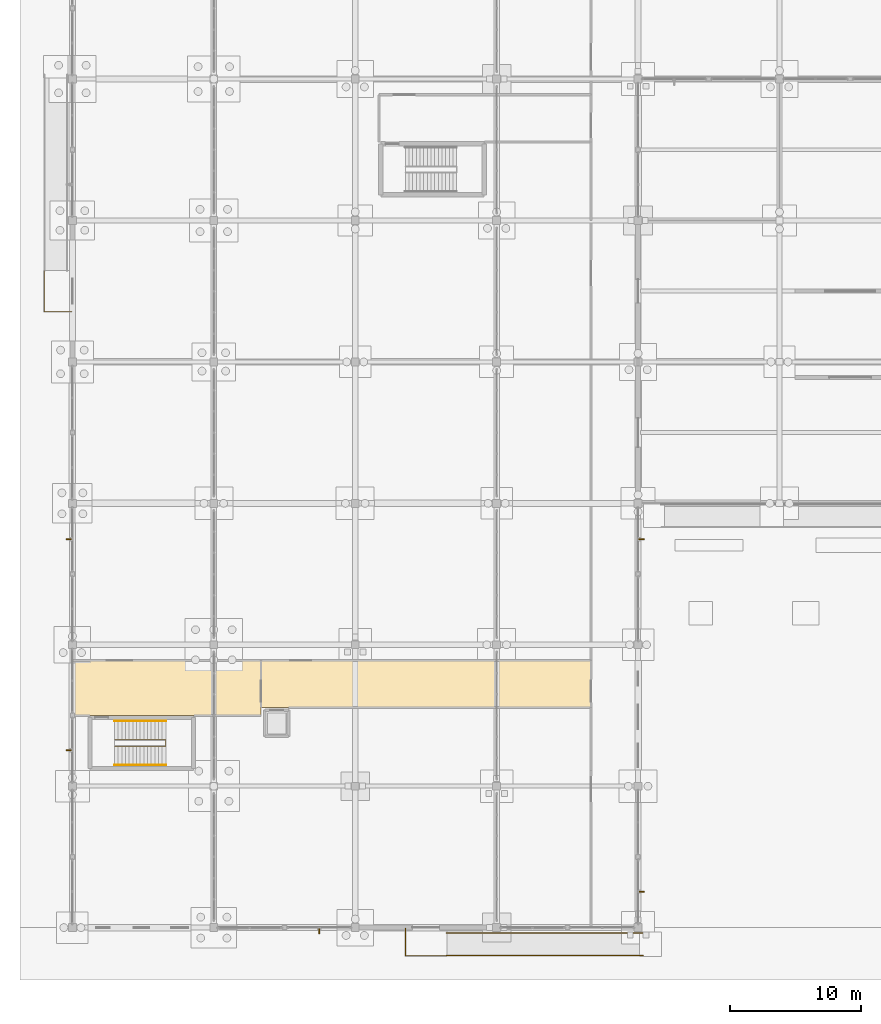
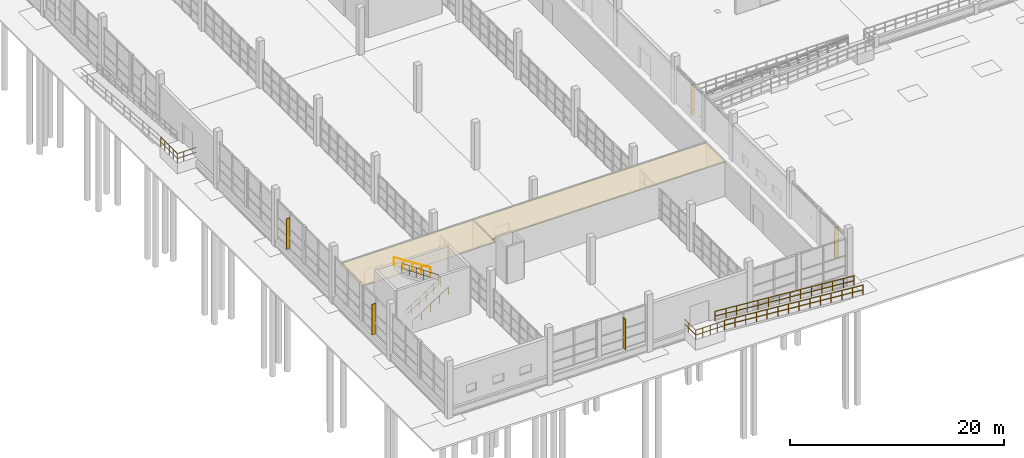
# One storey, part 123 of 138: 7 railings, 5 shading devices, 2 coverings.
"""IFC4 building model written with IfcOpenShell, lengths in metres."""

from ifc_helpers import new_model, si_unit, direction, frame, origin, origin_2d, place, context, subcontext, project, spatial, polyline, rectangle, circle, outline, extrude, material, layer, layer_set, type_object, element, save


model = new_model("IFC4")

# Units and contexts
model_context = context("Model", 3, precision=1e-05, world=origin(), true_north=direction((0.0, 1.0)))
body_context = subcontext(model_context, "Body", "Model", "MODEL_VIEW")
ifc_project = project(units=[si_unit("LENGTHUNIT", "METRE"), si_unit("AREAUNIT", "SQUARE_METRE"), si_unit("VOLUMEUNIT", "CUBIC_METRE"), si_unit("PLANEANGLEUNIT", "RADIAN"), si_unit("MASSUNIT", "GRAM", prefix="KILO")], contexts=[model_context])

# Site, building, storey
site_placement = place(None, origin())
site = spatial("IfcSite", under=ifc_project, at=site_placement, CompositionType="ELEMENT")
building_placement = place(site_placement, origin())
building = spatial("IfcBuilding", under=site, at=building_placement, Name="Zwinboog Wholesale Market", CompositionType="ELEMENT")
storey_placement = place(building_placement, origin())
storey = spatial("IfcBuildingStorey", under=building, at=storey_placement, Name="L00", CompositionType="ELEMENT", Elevation=0.0)

# Shading devices
ifc_material_1 = material(Name="Western red cedar timber", Category="wood")
shading_device_type = type_object("IfcShadingDeviceType", Name="SHD-FIN-CEDAR", PredefinedType="USERDEFINED", material=ifc_material_1)
for number, where, z_axis, x_axis, name in (
    (1, (-0.27001953125, 13.547607421875, 0.080078125), (0.0, 0.0, 1.0), (1.0, 0.0, 0.0), "FN-01 (SHD-FIN-001)"),
    (2, (-0.2548828125, 29.652587890625, 0.080078125), (0.0, 0.0, 1.0), (1.0, 0.0, 0.0), "FN-01 (SHD-FIN-002)"),
    (3, (18.8525390625, -0.2548828125, 0.080078125), (0.0, 0.0, 1.0), (0.0, 1.0, 0.0), "FN-01 (SHD-FIN-006)"),
    (4, (43.469970703125, 2.74755859375, 0.080078125), (0.0, 0.0, 1.0), (1.0, 0.0, 0.0), "FN-01 (SHD-FIN-007)"),
    (5, (43.455078125, 29.652587890625, 0.080078125), (0.0, 0.0, 1.0), (1.0, 0.0, 0.0), "FN-01 (SHD-FIN-008)"),
):
    element("IfcShadingDevice", number, at=place(storey_placement, frame(where, z_axis=z_axis, x_axis=x_axis)), inside=storey, type_object=shading_device_type, Name=name, ObjectType="FIN", PredefinedType="USERDEFINED", context=body_context, shape_type="SweptSolid", body=[
        extrude(rectangle(XDim=0.419921875, YDim=0.0849609375, at=origin_2d()), origin(), (0.0, 0.0, 1.0), 3.5),
    ])

# Railings
ifc_material_2 = material(Name="Steel S355", Category="steel")
railing_type_1 = type_object("IfcRailingType", Name="RLT-EXT-GUARD", PredefinedType="BALUSTRADE", material=ifc_material_2)
railing_1_placement = place(storey_placement, frame((-0.050048828125, 47.0400390625, 0.0)))
element("IfcRailing", 6, at=railing_1_placement, inside=storey, type_object=railing_type_1, Name="GR-01 (RLG-STP-01A)", PredefinedType="BALUSTRADE", context=body_context, shape_type="SweptSolid", body=[
    extrude(circle(Radius=0.02392578125, at=origin_2d()), frame((0.0, 0.0, 1.076171875), z_axis=(-1.0, 0.0, 0.0), x_axis=(0.0, -1.0, 0.0)), (0.0, 0.0, 1.0), 2.10986328125),
    extrude(circle(Radius=0.02392578125, at=origin_2d()), frame((0.0, 0.0, 0.52587890625), z_axis=(-1.0, 0.0, 0.0), x_axis=(0.0, -1.0, 0.0)), (0.0, 0.0, 1.0), 2.10986328125),
    extrude(circle(Radius=0.02392578125, at=origin_2d()), frame((-2.10986328125, 0.0, 1.076171875), z_axis=(0.0, 1.0, 0.0), x_axis=(-1.0, 0.0, 0.0)), (0.0, 0.0, 1.0), 3.119873046875),
    extrude(circle(Radius=0.02392578125, at=origin_2d()), frame((-2.10986328125, 0.0, 0.52587890625), z_axis=(0.0, 1.0, 0.0), x_axis=(-1.0, 0.0, 0.0)), (0.0, 0.0, 1.0), 3.119873046875),
    extrude(circle(Radius=0.02099609375, at=origin_2d()), origin(), (0.0, 0.0, 1.0), 1.052001953125),
    extrude(circle(Radius=0.02099609375, at=origin_2d()), frame((-0.703369140625, 0.0, 0.0)), (0.0, 0.0, 1.0), 1.052001953125),
    extrude(circle(Radius=0.02099609375, at=origin_2d()), frame((-1.406494140625, 0.0, 0.0)), (0.0, 0.0, 1.0), 1.052001953125),
    extrude(circle(Radius=0.02099609375, at=origin_2d()), frame((-2.10986328125, 0.0, 0.0)), (0.0, 0.0, 1.0), 1.052001953125),
    extrude(circle(Radius=0.02099609375, at=origin_2d()), frame((-2.10986328125, 0.780029296875, 0.0)), (0.0, 0.0, 1.0), 1.052001953125),
    extrude(circle(Radius=0.02099609375, at=origin_2d()), frame((-2.10986328125, 1.56005859375, 0.0)), (0.0, 0.0, 1.0), 1.052001953125),
    extrude(circle(Radius=0.02099609375, at=origin_2d()), frame((-2.10986328125, 2.33984375, 0.0)), (0.0, 0.0, 1.0), 1.052001953125),
    extrude(circle(Radius=0.02099609375, at=origin_2d()), frame((-2.10986328125, 3.119873046875, 0.0)), (0.0, 0.0, 1.0), 1.052001953125),
])
railing_2_placement = place(storey_placement, frame((25.43994140625, -0.050048828125, 0.0)))
element("IfcRailing", 7, at=railing_2_placement, inside=storey, type_object=railing_type_1, Name="GR-01 (RLG-STP-02A)", PredefinedType="BALUSTRADE", context=body_context, shape_type="SweptSolid", body=[
    extrude(circle(Radius=0.02392578125, at=origin_2d()), frame((0.0, 0.0, 1.076171875), z_axis=(0.0, -1.0, 0.0), x_axis=(1.0, 0.0, 0.0)), (0.0, 0.0, 1.0), 2.10986328125),
    extrude(circle(Radius=0.02392578125, at=origin_2d()), frame((0.0, 0.0, 0.52587890625), z_axis=(0.0, -1.0, 0.0), x_axis=(1.0, 0.0, 0.0)), (0.0, 0.0, 1.0), 2.10986328125),
    extrude(circle(Radius=0.02392578125, at=origin_2d()), frame((0.0, -2.10986328125, 1.076171875), z_axis=(1.0, 0.0, 0.0), x_axis=(0.0, 1.0, 0.0)), (0.0, 0.0, 1.0), 3.1201171875),
    extrude(circle(Radius=0.02392578125, at=origin_2d()), frame((0.0, -2.10986328125, 0.52587890625), z_axis=(1.0, 0.0, 0.0), x_axis=(0.0, 1.0, 0.0)), (0.0, 0.0, 1.0), 3.1201171875),
    extrude(circle(Radius=0.02099609375, at=origin_2d()), origin(), (0.0, 0.0, 1.0), 1.052001953125),
    extrude(circle(Radius=0.02099609375, at=origin_2d()), frame((0.0, -0.703369140625, 0.0)), (0.0, 0.0, 1.0), 1.052001953125),
    extrude(circle(Radius=0.02099609375, at=origin_2d()), frame((0.0, -1.406494140625, 0.0)), (0.0, 0.0, 1.0), 1.052001953125),
    extrude(circle(Radius=0.02099609375, at=origin_2d()), frame((0.0, -2.10986328125, 0.0)), (0.0, 0.0, 1.0), 1.052001953125),
    extrude(circle(Radius=0.02099609375, at=origin_2d()), frame((0.780029296875, -2.10986328125, 0.0)), (0.0, 0.0, 1.0), 1.052001953125),
    extrude(circle(Radius=0.02099609375, at=origin_2d()), frame((1.56005859375, -2.10986328125, 0.0)), (0.0, 0.0, 1.0), 1.052001953125),
    extrude(circle(Radius=0.02099609375, at=origin_2d()), frame((2.340087890625, -2.10986328125, 0.0)), (0.0, 0.0, 1.0), 1.052001953125),
    extrude(circle(Radius=0.02099609375, at=origin_2d()), frame((3.1201171875, -2.10986328125, 0.0)), (0.0, 0.0, 1.0), 1.052001953125),
])
railing_3_placement = place(storey_placement, frame((28.56005859375, -2.1201171875, 0.0)))
element("IfcRailing", 8, at=railing_3_placement, inside=storey, type_object=railing_type_1, Name="GR-01 (RLG-STP-02B)", PredefinedType="BALUSTRADE", context=body_context, shape_type="SweptSolid", body=[
    extrude(circle(Radius=0.02392578125, at=origin_2d()), frame((0.0, 0.0, 1.076171875), z_axis=(0.996815536467, 0.0, -0.079741998075), x_axis=(0.0, 1.0, 0.0)), (0.0, 0.0, 1.0), 15.0478515625),
    extrude(circle(Radius=0.02392578125, at=origin_2d()), frame((0.0, 0.0, 0.52587890625), z_axis=(0.996815536467, 0.0, -0.079741998075), x_axis=(0.0, 1.0, 0.0)), (0.0, 0.0, 1.0), 15.0478515625),
    extrude(circle(Radius=0.02099609375, at=origin_2d()), origin(), (0.0, 0.0, 1.0), 1.052001953125),
    extrude(circle(Radius=0.02099609375, at=origin_2d()), frame((1.15380859375, 0.0, -0.09228515625)), (0.0, 0.0, 1.0), 1.052001953125),
    extrude(circle(Radius=0.02099609375, at=origin_2d()), frame((2.3076171875, 0.0, -0.1845703125)), (0.0, 0.0, 1.0), 1.052001953125),
    extrude(circle(Radius=0.02099609375, at=origin_2d()), frame((3.46142578125, 0.0, -0.27685546875)), (0.0, 0.0, 1.0), 1.052001953125),
    extrude(circle(Radius=0.02099609375, at=origin_2d()), frame((4.615478515625, 0.0, -0.369140625)), (0.0, 0.0, 1.0), 1.052001953125),
    extrude(circle(Radius=0.02099609375, at=origin_2d()), frame((5.769287109375, 0.0, -0.46142578125)), (0.0, 0.0, 1.0), 1.052001953125),
    extrude(circle(Radius=0.02099609375, at=origin_2d()), frame((6.923095703125, 0.0, -0.5537109375)), (0.0, 0.0, 1.0), 1.052001953125),
    extrude(circle(Radius=0.02099609375, at=origin_2d()), frame((8.076904296875, 0.0, -0.646240234375)), (0.0, 0.0, 1.0), 1.052001953125),
    extrude(circle(Radius=0.02099609375, at=origin_2d()), frame((9.230712890625, 0.0, -0.738525390625)), (0.0, 0.0, 1.0), 1.052001953125),
    extrude(circle(Radius=0.02099609375, at=origin_2d()), frame((10.384521484375, 0.0, -0.830810546875)), (0.0, 0.0, 1.0), 1.052001953125),
    extrude(circle(Radius=0.02099609375, at=origin_2d()), frame((11.53857421875, 0.0, -0.923095703125)), (0.0, 0.0, 1.0), 1.052001953125),
    extrude(circle(Radius=0.02099609375, at=origin_2d()), frame((12.6923828125, 0.0, -1.015380859375)), (0.0, 0.0, 1.0), 1.052001953125),
    extrude(circle(Radius=0.02099609375, at=origin_2d()), frame((13.84619140625, 0.0, -1.107666015625)), (0.0, 0.0, 1.0), 1.052001953125),
    extrude(circle(Radius=0.02099609375, at=origin_2d()), frame((15.0, 0.0, -1.199951171875)), (0.0, 0.0, 1.0), 1.052001953125),
])
railing_4_placement = place(storey_placement, frame((28.56005859375, -0.39990234375, 0.0)))
element("IfcRailing", 9, at=railing_4_placement, inside=storey, type_object=railing_type_1, Name="GR-01 (RLG-STP-02C)", PredefinedType="BALUSTRADE", context=body_context, shape_type="SweptSolid", body=[
    extrude(circle(Radius=0.02392578125, at=origin_2d()), frame((0.0, 0.0, 1.076171875), z_axis=(0.996815536467, 0.0, -0.079741998075), x_axis=(0.0, 1.0, 0.0)), (0.0, 0.0, 1.0), 15.0478515625),
    extrude(circle(Radius=0.02392578125, at=origin_2d()), frame((0.0, 0.0, 0.52587890625), z_axis=(0.996815536467, 0.0, -0.079741998075), x_axis=(0.0, 1.0, 0.0)), (0.0, 0.0, 1.0), 15.0478515625),
    extrude(circle(Radius=0.02099609375, at=origin_2d()), origin(), (0.0, 0.0, 1.0), 1.052001953125),
    extrude(circle(Radius=0.02099609375, at=origin_2d()), frame((1.15380859375, 0.0, -0.09228515625)), (0.0, 0.0, 1.0), 1.052001953125),
    extrude(circle(Radius=0.02099609375, at=origin_2d()), frame((2.3076171875, 0.0, -0.1845703125)), (0.0, 0.0, 1.0), 1.052001953125),
    extrude(circle(Radius=0.02099609375, at=origin_2d()), frame((3.46142578125, 0.0, -0.27685546875)), (0.0, 0.0, 1.0), 1.052001953125),
    extrude(circle(Radius=0.02099609375, at=origin_2d()), frame((4.615478515625, 0.0, -0.369140625)), (0.0, 0.0, 1.0), 1.052001953125),
    extrude(circle(Radius=0.02099609375, at=origin_2d()), frame((5.769287109375, 0.0, -0.46142578125)), (0.0, 0.0, 1.0), 1.052001953125),
    extrude(circle(Radius=0.02099609375, at=origin_2d()), frame((6.923095703125, 0.0, -0.5537109375)), (0.0, 0.0, 1.0), 1.052001953125),
    extrude(circle(Radius=0.02099609375, at=origin_2d()), frame((8.076904296875, 0.0, -0.646240234375)), (0.0, 0.0, 1.0), 1.052001953125),
    extrude(circle(Radius=0.02099609375, at=origin_2d()), frame((9.230712890625, 0.0, -0.738525390625)), (0.0, 0.0, 1.0), 1.052001953125),
    extrude(circle(Radius=0.02099609375, at=origin_2d()), frame((10.384521484375, 0.0, -0.830810546875)), (0.0, 0.0, 1.0), 1.052001953125),
    extrude(circle(Radius=0.02099609375, at=origin_2d()), frame((11.53857421875, 0.0, -0.923095703125)), (0.0, 0.0, 1.0), 1.052001953125),
    extrude(circle(Radius=0.02099609375, at=origin_2d()), frame((12.6923828125, 0.0, -1.015380859375)), (0.0, 0.0, 1.0), 1.052001953125),
    extrude(circle(Radius=0.02099609375, at=origin_2d()), frame((13.84619140625, 0.0, -1.107666015625)), (0.0, 0.0, 1.0), 1.052001953125),
    extrude(circle(Radius=0.02099609375, at=origin_2d()), frame((15.0, 0.0, -1.199951171875)), (0.0, 0.0, 1.0), 1.052001953125),
])
railing_type_2 = type_object("IfcRailingType", Name="RLT-INT-GUARD", PredefinedType="BALUSTRADE", material=ifc_material_2)
railing_5_placement = place(storey_placement, frame((3.219970703125, 13.860107421875, 0.179931640625)))
element("IfcRailing", 10, at=railing_5_placement, inside=storey, type_object=railing_type_2, Name="GR-02 (RLG-ST-01-G1)", PredefinedType="BALUSTRADE", context=body_context, shape_type="SweptSolid", body=[
    extrude(circle(Radius=0.02392578125, at=origin_2d()), frame((0.0, 0.0, 1.09619140625), z_axis=(0.841171666519, 0.0, 0.540768182723), x_axis=(0.0, 1.0, 0.0)), (0.0, 0.0, 1.0), 4.66015625),
    extrude(circle(Radius=0.02392578125, at=origin_2d()), frame((0.0, 0.0, 0.5361328125), z_axis=(0.841171666519, 0.0, 0.540768182723), x_axis=(0.0, 1.0, 0.0)), (0.0, 0.0, 1.0), 4.66015625),
    extrude(circle(Radius=0.02392578125, at=origin_2d()), frame((3.919921875, 0.0, 3.6162109375), z_axis=(0.0, 1.0, 0.0), x_axis=(-1.0, 0.0, 0.0)), (0.0, 0.0, 1.0), 0.47998046875),
    extrude(circle(Radius=0.02392578125, at=origin_2d()), frame((3.919921875, 0.0, 3.05615234375), z_axis=(0.0, 1.0, 0.0), x_axis=(-1.0, 0.0, 0.0)), (0.0, 0.0, 1.0), 0.47998046875),
    extrude(circle(Radius=0.02392578125, at=origin_2d()), frame((3.919921875, 0.47998046875, 3.6162109375), z_axis=(-0.823550731654, 0.0, 0.567242622158), x_axis=(0.0, -1.0, 0.0)), (0.0, 0.0, 1.0), 4.759765625),
    extrude(circle(Radius=0.02392578125, at=origin_2d()), frame((3.919921875, 0.47998046875, 3.05615234375), z_axis=(-0.823550731654, 0.0, 0.567242622158), x_axis=(0.0, -1.0, 0.0)), (0.0, 0.0, 1.0), 4.759765625),
    extrude(circle(Radius=0.02099609375, at=origin_2d()), origin(), (0.0, 0.0, 1.0), 1.072021484375),
    extrude(circle(Radius=0.02099609375, at=origin_2d()), frame((0.783935546875, 0.0, 0.50390625)), (0.0, 0.0, 1.0), 1.072021484375),
    extrude(circle(Radius=0.02099609375, at=origin_2d()), frame((1.56787109375, 0.0, 1.008056640625)), (0.0, 0.0, 1.0), 1.072021484375),
    extrude(circle(Radius=0.02099609375, at=origin_2d()), frame((2.35205078125, 0.0, 1.511962890625)), (0.0, 0.0, 1.0), 1.072021484375),
    extrude(circle(Radius=0.02099609375, at=origin_2d()), frame((3.135986328125, 0.0, 2.01611328125)), (0.0, 0.0, 1.0), 1.072021484375),
    extrude(circle(Radius=0.02099609375, at=origin_2d()), frame((3.919921875, 0.0, 2.52001953125)), (0.0, 0.0, 1.0), 1.072021484375),
    extrude(circle(Radius=0.02099609375, at=origin_2d()), frame((3.919921875, 0.47998046875, 2.52001953125)), (0.0, 0.0, 1.0), 1.072021484375),
    extrude(circle(Radius=0.02099609375, at=origin_2d()), frame((3.135986328125, 0.47998046875, 3.06005859375)), (0.0, 0.0, 1.0), 1.072021484375),
    extrude(circle(Radius=0.02099609375, at=origin_2d()), frame((2.35205078125, 0.47998046875, 3.60009765625)), (0.0, 0.0, 1.0), 1.072021484375),
    extrude(circle(Radius=0.02099609375, at=origin_2d()), frame((1.56787109375, 0.47998046875, 4.139892578125)), (0.0, 0.0, 1.0), 1.072021484375),
    extrude(circle(Radius=0.02099609375, at=origin_2d()), frame((0.783935546875, 0.47998046875, 4.679931640625)), (0.0, 0.0, 1.0), 1.072021484375),
    extrude(circle(Radius=0.02099609375, at=origin_2d()), frame((0.0, 0.47998046875, 5.219970703125)), (0.0, 0.0, 1.0), 1.072021484375),
])
railing_type_3 = type_object("IfcRailingType", Name="RLT-HANDRAIL", PredefinedType="HANDRAIL", material=ifc_material_2)
railing_6_placement = place(storey_placement, frame((3.219970703125, 12.409912109375, 0.179931640625)))
element("IfcRailing", 11, at=railing_6_placement, inside=storey, type_object=railing_type_3, Name="HR-01 (RLG-ST-01-HR1)", PredefinedType="HANDRAIL", context=body_context, shape_type="SweptSolid", body=[
    extrude(circle(Radius=0.02392578125, at=origin_2d()), frame((0.0, 0.0, 0.8759765625), z_axis=(0.841171666519, 0.0, 0.540768182723), x_axis=(0.0, 1.0, 0.0)), (0.0, 0.0, 1.0), 4.66015625),
    extrude(circle(Radius=0.02099609375, at=origin_2d()), origin(), (0.0, 0.0, 1.0), 0.851806640625),
    extrude(circle(Radius=0.02099609375, at=origin_2d()), frame((0.97998046875, 0.0, 0.6298828125)), (0.0, 0.0, 1.0), 0.851806640625),
    extrude(circle(Radius=0.02099609375, at=origin_2d()), frame((1.9599609375, 0.0, 1.260009765625)), (0.0, 0.0, 1.0), 0.851806640625),
    extrude(circle(Radius=0.02099609375, at=origin_2d()), frame((2.93994140625, 0.0, 1.89013671875)), (0.0, 0.0, 1.0), 0.851806640625),
    extrude(circle(Radius=0.02099609375, at=origin_2d()), frame((3.919921875, 0.0, 2.52001953125)), (0.0, 0.0, 1.0), 0.851806640625),
])
railing_7_placement = place(storey_placement, frame((7.139892578125, 15.7900390625, 2.8798828125)))
element("IfcRailing", 12, at=railing_7_placement, inside=storey, type_object=railing_type_3, Name="HR-01 (RLG-ST-01-HR2)", PredefinedType="HANDRAIL", context=body_context, shape_type="SweptSolid", body=[
    extrude(circle(Radius=0.02392578125, at=origin_2d()), frame((0.0, 0.0, 0.8759765625), z_axis=(-0.841171666519, 0.0, 0.540768182723), x_axis=(0.0, -1.0, 0.0)), (0.0, 0.0, 1.0), 4.66015625),
    extrude(circle(Radius=0.02099609375, at=origin_2d()), origin(), (0.0, 0.0, 1.0), 0.851806640625),
    extrude(circle(Radius=0.02099609375, at=origin_2d()), frame((-0.97998046875, 0.0, 0.6298828125)), (0.0, 0.0, 1.0), 0.851806640625),
    extrude(circle(Radius=0.02099609375, at=origin_2d()), frame((-1.9599609375, 0.0, 1.260009765625)), (0.0, 0.0, 1.0), 0.851806640625),
    extrude(circle(Radius=0.02099609375, at=origin_2d()), frame((-2.93994140625, 0.0, 1.89013671875)), (0.0, 0.0, 1.0), 0.851806640625),
    extrude(circle(Radius=0.02099609375, at=origin_2d()), frame((-3.919921875, 0.0, 2.52001953125)), (0.0, 0.0, 1.0), 0.851806640625),
])

# Coverings
ifc_material_3 = material(Name="Hygienic washable acoustic gypsum ceiling")
ifc_layer = layer(ifc_material_3, 0.050048828125)
ifc_layer_set = layer_set([ifc_layer], Name="Hygienic washable acoustic gypsum ceiling")
covering_type = type_object("IfcCoveringType", Name="COV-CEIL-HYG", PredefinedType="CEILING", material=ifc_layer_set)
covering_1_placement = place(storey_placement, frame((0.0, 0.0, 3.800048828125)))
element("IfcCovering", 13, at=covering_1_placement, inside=storey, type_object=covering_type, Name="CL-02 (COV-CL-L00-002)", PredefinedType="CEILING", context=body_context, shape_type="SweptSolid", body=[
    extrude(outline(polyline([(0.0, 16.199951171875), (14.39990234375, 16.199951171875), (14.39990234375, 20.39990234375), (0.0, 20.39990234375), (0.0, 16.199951171875)])), origin(), (0.0, 0.0, 1.0), 0.050048828125),
])
covering_2_placement = place(storey_placement, frame((0.0, 0.0, 3.800048828125)))
element("IfcCovering", 14, at=covering_2_placement, inside=storey, type_object=covering_type, Name="CL-02 (COV-CL-L00-003)", PredefinedType="CEILING", context=body_context, shape_type="SweptSolid", body=[
    extrude(outline(polyline([(14.39990234375, 16.800048828125), (39.60009765625, 16.800048828125), (39.60009765625, 20.39990234375), (14.39990234375, 20.39990234375), (14.39990234375, 16.800048828125)])), origin(), (0.0, 0.0, 1.0), 0.050048828125),
])

save(model, "model.ifc")
